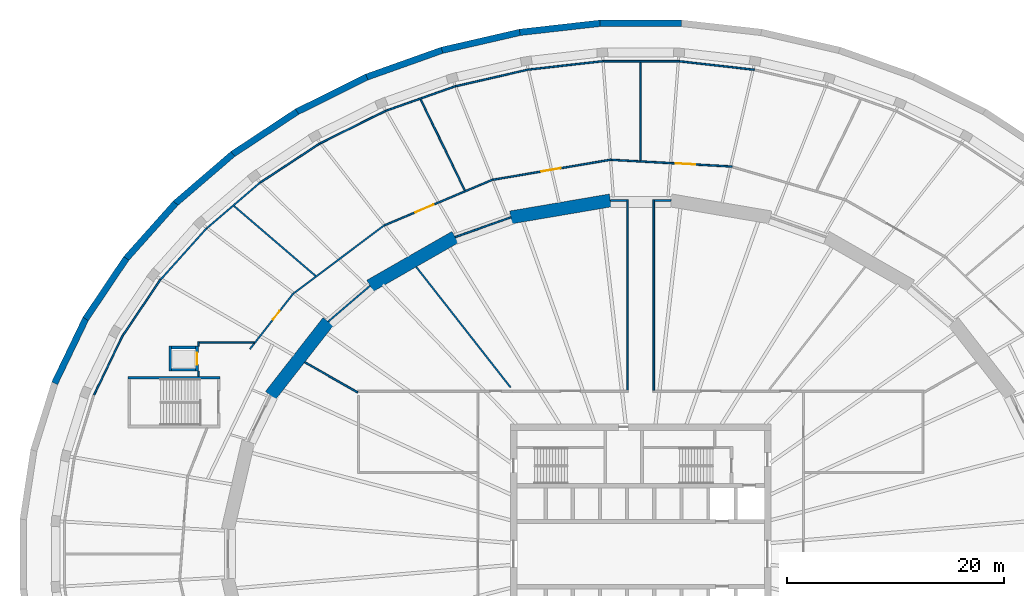
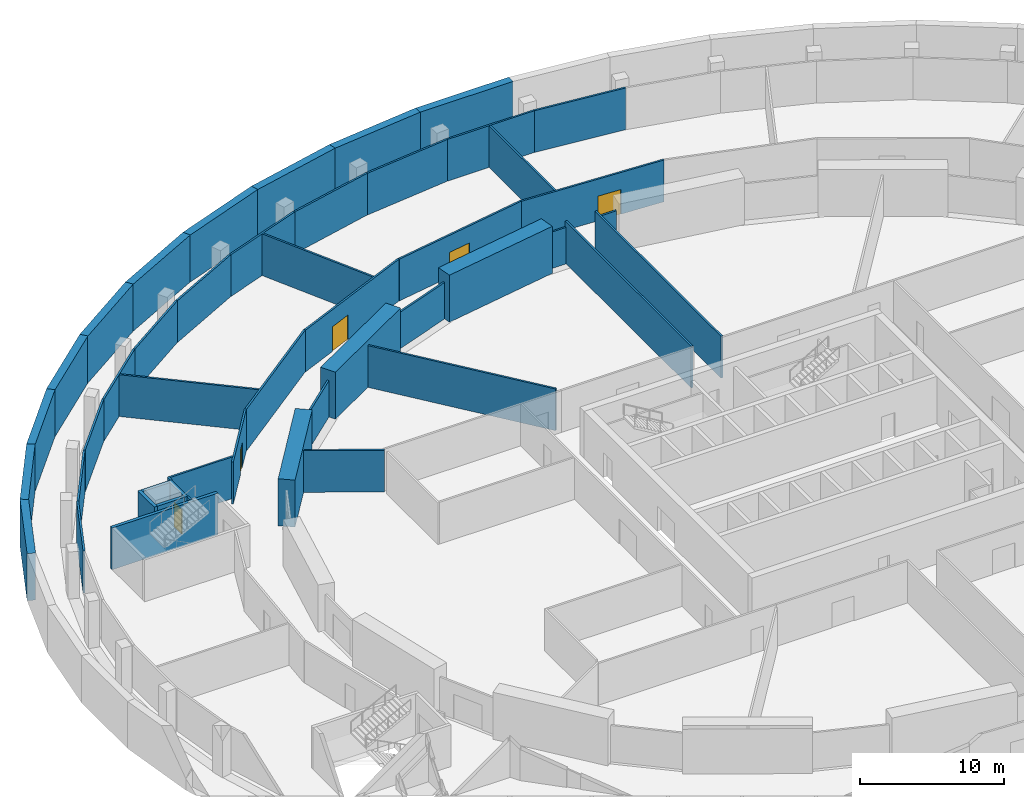
# One storey, part 10 of 14: 48 walls, 5 doors, 5 openings.
"""IFC4 building model written with IfcOpenShell, lengths in metres."""

from ifc_helpers import new_model, si_unit, direction, frame, frame_2d, origin, place, context, subcontext, project, spatial, polyline, rectangle, outline, extrude, material, layer, layer_set, type_object, element, fill, save


model = new_model("IFC4")

# Units and contexts
model_context = context("Model", 3, precision=1e-05, world=origin(), true_north=direction((0.0, 1.0)))
body_context = subcontext(model_context, "Body", "Model", "MODEL_VIEW")
ifc_project = project(units=[si_unit("LENGTHUNIT", "METRE"), si_unit("AREAUNIT", "SQUARE_METRE"), si_unit("VOLUMEUNIT", "CUBIC_METRE"), si_unit("PLANEANGLEUNIT", "RADIAN"), si_unit("MASSUNIT", "GRAM", prefix="KILO")], contexts=[model_context])

# Site, building, storey
site_placement = place(None, origin())
site = spatial("IfcSite", under=ifc_project, at=site_placement, CompositionType="ELEMENT")
building_placement = place(site_placement, origin())
building = spatial("IfcBuilding", under=site, at=building_placement, Name="Halqa Exchange Tower", CompositionType="ELEMENT")
storey_placement = place(building_placement, frame((0.0, 0.0, -4.0)))
storey = spatial("IfcBuildingStorey", under=building, at=storey_placement, Name="B1", CompositionType="ELEMENT", Elevation=-4.0)

# Walls
ifc_material_1 = material(Name="Fire-rated gypsum board")
ifc_layer_1 = layer(ifc_material_1, 0.14990234375)
ifc_layer_set_1 = layer_set([ifc_layer_1], Name="Fire-rated gypsum board")
wall_type_1 = type_object("IfcWallType", Name="Fire partition EI 60 150", PredefinedType="PARTITIONING", material=ifc_layer_set_1)
wall_1_placement = place(storey_placement, frame((-50.351806640625, 14.669189453125, 0.0), z_axis=(0.0, 0.0, 1.0), x_axis=(0.434723306584, 0.900564071409, 0.0)))
element("IfcWall", 1, at=wall_1_placement, inside=storey, type_object=wall_type_1, Name="B1-PWL-006", PredefinedType="PARTITIONING", context=body_context, shape_type="SweptSolid", body=[
    extrude(rectangle(XDim=6.09619140625, YDim=0.14990234375, at=frame_2d((3.048095703125, 0.0))), origin(), (0.0, 0.0, 1.0), 3.550048828125),
])
wall_2_placement = place(storey_placement, frame((-47.69091796875, 20.153076171875, 0.0), z_axis=(0.0, 0.0, 1.0), x_axis=(0.558812320082, 0.829294152231, 0.0)))
element("IfcWall", 2, at=wall_2_placement, inside=storey, type_object=wall_type_1, Name="B1-PWL-007", PredefinedType="PARTITIONING", context=body_context, shape_type="SweptSolid", body=[
    extrude(rectangle(XDim=6.2099609375, YDim=0.14990234375, at=frame_2d((3.10498046875, 0.0))), origin(), (0.0, 0.0, 1.0), 3.550048828125),
])
wall_3_placement = place(storey_placement, frame((-44.211181640625, 25.29541015625, 0.0), z_axis=(0.0, 0.0, 1.0), x_axis=(0.6673947824, 0.744704105283, 0.0)))
element("IfcWall", 3, at=wall_3_placement, inside=storey, type_object=wall_type_1, Name="B1-PWL-010", PredefinedType="PARTITIONING", context=body_context, shape_type="SweptSolid", body=[
    extrude(rectangle(XDim=6.338134765625, YDim=0.14990234375, at=frame_2d((3.1689453125, 0.0))), origin(), (0.0, 0.0, 1.0), 3.550048828125),
])
wall_4_placement = place(storey_placement, frame((-40.75, 16.3740234375, 0.0), z_axis=(0.0, 0.0, 1.0), x_axis=(0.0, 1.0, 0.0)))
element("IfcWall", 4, at=wall_4_placement, inside=storey, type_object=wall_type_1, Name="B1-PWL-017", PredefinedType="PARTITIONING", context=body_context, shape_type="SweptSolid", body=[
    extrude(rectangle(XDim=0.47607421875, YDim=0.14990234375, at=frame_2d((0.238037109375, 0.0))), origin(), (0.0, 0.0, 1.0), 3.550048828125),
])
wall_5_placement = place(storey_placement, frame((-40.75, 19.14990234375, 0.0), z_axis=(0.0, 0.0, 1.0), x_axis=(0.0, 1.0, 0.0)))
element("IfcWall", 5, at=wall_5_placement, inside=storey, type_object=wall_type_1, Name="B1-PWL-018", PredefinedType="PARTITIONING", context=body_context, shape_type="SweptSolid", body=[
    extrude(rectangle(XDim=0.425048828125, YDim=0.14990234375, at=frame_2d((0.21240234375, 0.0))), origin(), (0.0, 0.0, 1.0), 3.550048828125),
])
wall_6_placement = place(storey_placement, frame((-40.675048828125, 19.5, 0.0), z_axis=(0.0, 0.0, 1.0), x_axis=(1.0, 0.0, 0.0)))
element("IfcWall", 6, at=wall_6_placement, inside=storey, type_object=wall_type_1, Name="B1-PWL-019", PredefinedType="PARTITIONING", context=body_context, shape_type="SweptSolid", body=[
    extrude(rectangle(XDim=5.068115234375, YDim=0.14990234375, at=frame_2d((2.5341796875, 0.0))), origin(), (0.0, 0.0, 1.0), 3.550048828125),
])
wall_7_placement = place(storey_placement, frame((-39.97314453125, 30.00732421875, 0.0), z_axis=(0.0, 0.0, 1.0), x_axis=(0.759038455419, 0.651045791934, 0.0)))
element("IfcWall", 7, at=wall_7_placement, inside=storey, type_object=wall_type_1, Name="B1-PWL-022", PredefinedType="PARTITIONING", context=body_context, shape_type="SweptSolid", body=[
    extrude(rectangle(XDim=6.479248046875, YDim=0.14990234375, at=frame_2d((3.23974609375, 0.0))), origin(), (0.0, 0.0, 1.0), 3.550048828125),
])

# Wall, opening, door
wall_8_placement = place(storey_placement, frame((-35.99609375, 18.880859375, 0.0), z_axis=(0.0, 0.0, 1.0), x_axis=(0.615457986142, 0.788169694478, 0.0)))
wall_8 = element("IfcWall", 8, at=wall_8_placement, inside=storey, type_object=wall_type_1, Name="B1-PWL-028", PredefinedType="PARTITIONING", context=body_context, shape_type="SweptSolid", body=[
    extrude(rectangle(XDim=6.544921875, YDim=0.14990234375, at=frame_2d((3.2724609375, 0.0))), origin(), (0.0, 0.0, 1.0), 3.550048828125),
])
opening_1_placement = place(wall_8_placement, frame((3.453857421875, 0.0, 0.0)))
opening_1 = element("IfcOpeningElement", 9, at=opening_1_placement, cuts=wall_8, Name="Opening B1-27", PredefinedType="OPENING", context=body_context, shape_type="SweptSolid", body=[
    extrude(rectangle(XDim=1.0, YDim=2.10009765625, at=frame_2d((0.5, 1.050048828125))), frame((0.0, 0.0869140625, 0.0), z_axis=(0.0, -1.0, 0.0), x_axis=(1.0, 0.0, 0.0)), (0.0, 0.0, 1.0), 0.173828125),
])
ifc_material_2 = material(Name="Steel fire door leaf", Category="steel")
door_type_1 = type_object("IfcDoorType", Name="Fire door FD30S 1000 x 2100", OperationType="SINGLE_SWING_LEFT", PredefinedType="DOOR", material=ifc_material_2)
door_1_placement = place(opening_1_placement, origin())
door_1 = element("IfcDoor", 10, at=door_1_placement, inside=storey, type_object=door_type_1, Name="B1-IDR-027", OperationType="SINGLE_SWING_RIGHT", OverallHeight=2.10009765625, OverallWidth=1.0, PredefinedType="DOOR", context=body_context, shape_type="SweptSolid", body=[
    extrude(rectangle(XDim=1.0, YDim=2.10009765625, at=frame_2d((0.5, 1.050048828125))), frame((0.0, 0.02490234375, 0.0), z_axis=(0.0, -1.0, 0.0), x_axis=(1.0, 0.0, 0.0)), (0.0, 0.0, 1.0), 0.050048828125),
])
fill(opening_1, door_1)

# Walls
wall_9_placement = place(storey_placement, frame((-35.048583984375, 34.217041015625, 0.0), z_axis=(0.0, 0.0, 1.0), x_axis=(0.83553583791, 0.549435950378, 0.0)))
element("IfcWall", 11, at=wall_9_placement, inside=storey, type_object=wall_type_1, Name="B1-PWL-030", PredefinedType="PARTITIONING", context=body_context, shape_type="SweptSolid", body=[
    extrude(rectangle(XDim=6.6064453125, YDim=0.14990234375, at=frame_2d((3.30322265625, 0.0))), origin(), (0.0, 0.0, 1.0), 3.550048828125),
])
wall_10_placement = place(storey_placement, frame((-31.947265625, 24.022216796875, 0.0), z_axis=(0.0, 0.0, 1.0), x_axis=(0.799194171191, 0.601072937949, 0.0)))
element("IfcWall", 12, at=wall_10_placement, inside=storey, type_object=wall_type_1, Name="B1-PWL-032", PredefinedType="PARTITIONING", context=body_context, shape_type="SweptSolid", body=[
    extrude(rectangle(XDim=10.443603515625, YDim=0.14990234375, at=frame_2d((5.2216796875, 0.0))), origin(), (0.0, 0.0, 1.0), 3.550048828125),
])
wall_11_placement = place(storey_placement, frame((-29.947265625, 25.619140625, 0.0), z_axis=(0.0, 0.0, 1.0), x_axis=(-0.759265306208, 0.650781218836, 0.0)))
element("IfcWall", 13, at=wall_11_placement, inside=storey, type_object=wall_type_1, Name="B1-PWL-034", PredefinedType="PARTITIONING", context=body_context, shape_type="SweptSolid", body=[
    extrude(outline(polyline([(-0.0166015625, -0.074951171875), (9.888427734375, -0.074951171875), (9.911376953125, 0.074951171875), (0.0166015625, 0.074951171875), (-0.0166015625, -0.074951171875)])), origin(), (0.0, 0.0, 1.0), 3.550048828125),
])
wall_12_placement = place(storey_placement, frame((-29.5234375, 37.837890625, 0.0), z_axis=(0.0, 0.0, 1.0), x_axis=(0.895909442692, 0.444236727991, 0.0)))
element("IfcWall", 14, at=wall_12_placement, inside=storey, type_object=wall_type_1, Name="B1-PWL-036", PredefinedType="PARTITIONING", context=body_context, shape_type="SweptSolid", body=[
    extrude(rectangle(XDim=6.730712890625, YDim=0.14990234375, at=frame_2d((3.365234375, 0.0))), origin(), (0.0, 0.0, 1.0), 3.550048828125),
])
wall_13_placement = place(storey_placement, frame((-26.07421875, 14.88232421875, 0.0), z_axis=(0.0, 0.0, 1.0), x_axis=(-0.868133416031, 0.496330909746, 0.0)))
element("IfcWall", 15, at=wall_13_placement, inside=storey, type_object=wall_type_1, Name="B1-PWL-043", PredefinedType="PARTITIONING", context=body_context, shape_type="SweptSolid", body=[
    extrude(outline(polyline([(0.0, -0.074951171875), (5.604248046875, -0.074951171875), (5.625732421875, 0.074951171875), (0.0, 0.074951171875), (0.0, -0.074951171875)])), origin(), (0.0, 0.0, 1.0), 3.550048828125),
])
wall_14_placement = place(storey_placement, frame((-24.931884765625, 24.70849609375, 0.0), z_axis=(0.0, 0.0, 1.0), x_axis=(-0.760084552743, -0.649824185978, 0.0)))
element("IfcWall", 16, at=wall_14_placement, inside=storey, type_object=wall_type_1, Name="B1-PWL-045", PredefinedType="PARTITIONING", context=body_context, shape_type="SweptSolid", body=[
    extrude(outline(polyline([(-0.01416015625, -0.074951171875), (5.09033203125, -0.074951171875), (5.0595703125, 0.074951171875), (0.01416015625, 0.074951171875), (-0.01416015625, -0.074951171875)])), origin(), (0.0, 0.0, 1.0), 3.10009765625),
])

# Wall, opening, door
wall_15_placement = place(storey_placement, frame((-23.58642578125, 30.279541015625, 0.0), z_axis=(0.0, 0.0, 1.0), x_axis=(0.920903415875, 0.389790839591, 0.0)))
wall_15 = element("IfcWall", 17, at=wall_15_placement, inside=storey, type_object=wall_type_1, Name="B1-PWL-046", PredefinedType="PARTITIONING", context=body_context, shape_type="SweptSolid", body=[
    extrude(rectangle(XDim=10.822998046875, YDim=0.14990234375, at=frame_2d((5.41162109375, 0.0))), origin(), (0.0, 0.0, 1.0), 3.550048828125),
])
opening_2_placement = place(wall_15_placement, frame((3.09130859375, 0.0, 0.0)))
opening_2 = element("IfcOpeningElement", 18, at=opening_2_placement, cuts=wall_15, Name="Opening B1-26", PredefinedType="OPENING", context=body_context, shape_type="SweptSolid", body=[
    extrude(rectangle(XDim=1.800048828125, YDim=2.10009765625, at=frame_2d((0.89990234375, 1.050048828125))), frame((0.0, 0.0869140625, 0.0), z_axis=(0.0, -1.0, 0.0), x_axis=(1.0, 0.0, 0.0)), (0.0, 0.0, 1.0), 0.173828125),
])
door_type_2 = type_object("IfcDoorType", Name="Fire door FD30S double 1800 x 2100", OperationType="DOUBLE_DOOR_SINGLE_SWING", PredefinedType="DOOR", material=ifc_material_2)
door_2_placement = place(opening_2_placement, origin())
door_2 = element("IfcDoor", 19, at=door_2_placement, inside=storey, type_object=door_type_2, Name="B1-IDR-026", OperationType="DOUBLE_DOOR_SINGLE_SWING", OverallHeight=2.10009765625, OverallWidth=1.800048828125, PredefinedType="DOOR", context=body_context, shape_type="SweptSolid", body=[
    extrude(rectangle(XDim=1.800048828125, YDim=2.10009765625, at=frame_2d((0.89990234375, 1.050048828125))), frame((0.0, 0.02490234375, 0.0), z_axis=(0.0, -1.0, 0.0), x_axis=(1.0, 0.0, 0.0)), (0.0, 0.0, 1.0), 0.050048828125),
])
fill(opening_2, door_2)

# Walls
wall_16_placement = place(storey_placement, frame((-23.489501953125, 40.818603515625, 0.0), z_axis=(0.0, 0.0, 1.0), x_axis=(0.942678523295, 0.333702265079, 0.0)))
element("IfcWall", 20, at=wall_16_placement, inside=storey, type_object=wall_type_1, Name="B1-PWL-049", PredefinedType="PARTITIONING", context=body_context, shape_type="SweptSolid", body=[
    extrude(rectangle(XDim=6.831787109375, YDim=0.14990234375, at=frame_2d((3.416015625, 0.0))), origin(), (0.0, 0.0, 1.0), 3.550048828125),
])
wall_17_placement = place(storey_placement, frame((-20.679931640625, 26.449951171875, 0.0), z_axis=(0.0, 0.0, 1.0), x_axis=(0.616465586388, -0.787381851962, 0.0)))
element("IfcWall", 21, at=wall_17_placement, inside=storey, type_object=wall_type_1, Name="B1-PWL-051", PredefinedType="PARTITIONING", context=body_context, shape_type="SweptSolid", body=[
    extrude(outline(polyline([(-0.010986328125, -0.074951171875), (14.099853515625, -0.074951171875), (14.099853515625, 0.074951171875), (0.010986328125, 0.074951171875), (-0.010986328125, -0.074951171875)])), origin(), (0.0, 0.0, 1.0), 3.550048828125),
])
wall_18_placement = place(storey_placement, frame((-17.046630859375, 43.089111328125, 0.0), z_axis=(0.0, 0.0, 1.0), x_axis=(0.974487031509, 0.224443813504, 0.0)))
element("IfcWall", 22, at=wall_18_placement, inside=storey, type_object=wall_type_1, Name="B1-PWL-054", PredefinedType="PARTITIONING", context=body_context, shape_type="SweptSolid", body=[
    extrude(rectangle(XDim=6.90625, YDim=0.14990234375, at=frame_2d((3.453125, 0.0))), origin(), (0.0, 0.0, 1.0), 3.550048828125),
])
wall_19_placement = place(storey_placement, frame((-16.201904296875, 33.485595703125, 0.0), z_axis=(0.0, 0.0, 1.0), x_axis=(-0.435764801027, 0.900060574731, 0.0)))
element("IfcWall", 23, at=wall_19_placement, inside=storey, type_object=wall_type_1, Name="B1-PWL-057", PredefinedType="PARTITIONING", context=body_context, shape_type="SweptSolid", body=[
    extrude(outline(polyline([(-0.00390625, -0.074951171875), (9.31884765625, -0.074951171875), (9.33544921875, 0.074951171875), (0.00390625, 0.074951171875), (-0.00390625, -0.074951171875)])), origin(), (0.0, 0.0, 1.0), 3.550048828125),
])

# Wall, opening, door
wall_20_placement = place(storey_placement, frame((-13.61083984375, 34.476806640625, 0.0), z_axis=(0.0, 0.0, 1.0), x_axis=(0.985800134635, 0.16792288276, 0.0)))
wall_20 = element("IfcWall", 24, at=wall_20_placement, inside=storey, type_object=wall_type_1, Name="B1-PWL-060", PredefinedType="PARTITIONING", context=body_context, shape_type="SweptSolid", body=[
    extrude(rectangle(XDim=11.07421875, YDim=0.14990234375, at=frame_2d((5.537109375, 0.0))), origin(), (0.0, 0.0, 1.0), 3.550048828125),
])
opening_3_placement = place(wall_20_placement, frame((4.5380859375, 0.0, 0.0)))
opening_3 = element("IfcOpeningElement", 25, at=opening_3_placement, cuts=wall_20, Name="Opening B1-25", PredefinedType="OPENING", context=body_context, shape_type="SweptSolid", body=[
    extrude(rectangle(XDim=1.800048828125, YDim=2.10009765625, at=frame_2d((0.89990234375, 1.050048828125))), frame((0.0, 0.0869140625, 0.0), z_axis=(0.0, -1.0, 0.0), x_axis=(1.0, 0.0, 0.0)), (0.0, 0.0, 1.0), 0.173828125),
])
door_3_placement = place(opening_3_placement, origin())
door_3 = element("IfcDoor", 26, at=door_3_placement, inside=storey, type_object=door_type_2, Name="B1-IDR-025", OperationType="DOUBLE_DOOR_SINGLE_SWING", OverallHeight=2.10009765625, OverallWidth=1.800048828125, PredefinedType="DOOR", context=body_context, shape_type="SweptSolid", body=[
    extrude(rectangle(XDim=1.800048828125, YDim=2.10009765625, at=frame_2d((0.89990234375, 1.050048828125))), frame((0.0, 0.02490234375, 0.0), z_axis=(0.0, -1.0, 0.0), x_axis=(1.0, 0.0, 0.0)), (0.0, 0.0, 1.0), 0.050048828125),
])
fill(opening_3, door_3)

# Walls
wall_21_placement = place(storey_placement, frame((-11.966796875, 31.01123046875, 0.0), z_axis=(0.0, 0.0, 1.0), x_axis=(-0.942814385805, -0.333318217204, 0.0)))
element("IfcWall", 27, at=wall_21_placement, inside=storey, type_object=wall_type_1, Name="B1-PWL-061", PredefinedType="PARTITIONING", context=body_context, shape_type="SweptSolid", body=[
    extrude(outline(polyline([(-0.012939453125, -0.074951171875), (5.448486328125, -0.074951171875), (5.421142578125, 0.074951171875), (0.012939453125, 0.074951171875), (-0.012939453125, -0.074951171875)])), origin(), (0.0, 0.0, 1.0), 3.10009765625),
])
wall_22_placement = place(storey_placement, frame((-10.31494140625, 44.629638671875, 0.0), z_axis=(0.0, 0.0, 1.0), x_axis=(0.993688681101, 0.112173103067, 0.0)))
element("IfcWall", 28, at=wall_22_placement, inside=storey, type_object=wall_type_1, Name="B1-PWL-064", PredefinedType="PARTITIONING", context=body_context, shape_type="SweptSolid", body=[
    extrude(rectangle(XDim=6.953857421875, YDim=0.14990234375, at=frame_2d((3.47705078125, 0.0))), origin(), (0.0, 0.0, 1.0), 3.550048828125),
])
wall_23_placement = place(storey_placement, frame((-3.404541015625, 45.39990234375, 0.0), z_axis=(0.0, 0.0, 1.0), x_axis=(1.0, 0.0, 0.0)))
element("IfcWall", 29, at=wall_23_placement, inside=storey, type_object=wall_type_1, Name="B1-PWL-068", PredefinedType="PARTITIONING", context=body_context, shape_type="SweptSolid", body=[
    extrude(rectangle(XDim=6.97998046875, YDim=0.14990234375, at=frame_2d((3.489990234375, 0.0))), origin(), (0.0, 0.0, 1.0), 3.550048828125),
])

# Wall, opening, door
wall_24_placement = place(storey_placement, frame((-2.691162109375, 36.314453125, 0.0), z_axis=(0.0, 0.0, 1.0), x_axis=(0.998446820284, -0.055713078034, 0.0)))
wall_24 = element("IfcWall", 30, at=wall_24_placement, inside=storey, type_object=wall_type_1, Name="B1-PWL-070", PredefinedType="PARTITIONING", context=body_context, shape_type="SweptSolid", body=[
    extrude(rectangle(XDim=11.126220703125, YDim=0.14990234375, at=frame_2d((5.56298828125, 0.0))), origin(), (0.0, 0.0, 1.0), 3.550048828125),
])
opening_4_placement = place(wall_24_placement, frame((5.94677734375, 0.0, 0.0)))
opening_4 = element("IfcOpeningElement", 31, at=opening_4_placement, cuts=wall_24, Name="Opening B1-24", PredefinedType="OPENING", context=body_context, shape_type="SweptSolid", body=[
    extrude(rectangle(XDim=1.800048828125, YDim=2.10009765625, at=frame_2d((0.89990234375, 1.050048828125))), frame((0.0, 0.0869140625, 0.0), z_axis=(0.0, -1.0, 0.0), x_axis=(1.0, 0.0, 0.0)), (0.0, 0.0, 1.0), 0.173828125),
])
door_4_placement = place(opening_4_placement, origin())
door_4 = element("IfcDoor", 32, at=door_4_placement, inside=storey, type_object=door_type_2, Name="B1-IDR-024", OperationType="DOUBLE_DOOR_SINGLE_SWING", OverallHeight=2.10009765625, OverallWidth=1.800048828125, PredefinedType="DOOR", context=body_context, shape_type="SweptSolid", body=[
    extrude(rectangle(XDim=1.800048828125, YDim=2.10009765625, at=frame_2d((0.89990234375, 1.050048828125))), frame((0.0, 0.02490234375, 0.0), z_axis=(0.0, -1.0, 0.0), x_axis=(1.0, 0.0, 0.0)), (0.0, 0.0, 1.0), 0.050048828125),
])
fill(opening_4, door_4)

# Walls
wall_25_placement = place(storey_placement, frame((-1.199951171875, 15.074951171875, 0.0), z_axis=(0.0, 0.0, 1.0), x_axis=(0.0, 1.0, 0.0)))
element("IfcWall", 33, at=wall_25_placement, inside=storey, type_object=wall_type_1, Name="B1-PWL-073", PredefinedType="PARTITIONING", context=body_context, shape_type="SweptSolid", body=[
    extrude(rectangle(XDim=17.570068359375, YDim=0.14990234375, at=frame_2d((8.78515625, 0.0))), origin(), (0.0, 0.0, 1.0), 3.550048828125),
])
wall_26_placement = place(storey_placement, frame((-1.27490234375, 32.570068359375, 0.0), z_axis=(0.0, 0.0, 1.0), x_axis=(-1.0, 0.0, 0.0)))
element("IfcWall", 34, at=wall_26_placement, inside=storey, type_object=wall_type_1, Name="B1-PWL-074", PredefinedType="PARTITIONING", context=body_context, shape_type="SweptSolid", body=[
    extrude(outline(polyline([(0.0, -0.074951171875), (1.52587890625, -0.074951171875), (1.50048828125, 0.074951171875), (0.0, 0.074951171875), (0.0, -0.074951171875)])), origin(), (0.0, 0.0, 1.0), 3.10009765625),
])
wall_27_placement = place(storey_placement, frame((0.0, 36.238525390625, 0.0), z_axis=(0.0, 0.0, 1.0), x_axis=(0.0, 1.0, 0.0)))
element("IfcWall", 35, at=wall_27_placement, inside=storey, type_object=wall_type_1, Name="B1-PWL-076", PredefinedType="PARTITIONING", context=body_context, shape_type="SweptSolid", body=[
    extrude(outline(polyline([(-0.004150390625, -0.074951171875), (9.08642578125, -0.074951171875), (9.08642578125, 0.074951171875), (0.004150390625, 0.074951171875), (-0.004150390625, -0.074951171875)])), origin(), (0.0, 0.0, 1.0), 3.550048828125),
])
wall_28_placement = place(storey_placement, frame((1.199951171875, 32.64501953125, 0.0), z_axis=(0.0, 0.0, 1.0), x_axis=(0.0, -1.0, 0.0)))
element("IfcWall", 36, at=wall_28_placement, inside=storey, type_object=wall_type_1, Name="B1-PWL-081", PredefinedType="PARTITIONING", context=body_context, shape_type="SweptSolid", body=[
    extrude(rectangle(XDim=17.570068359375, YDim=0.14990234375, at=frame_2d((8.78515625, 0.0))), origin(), (0.0, 0.0, 1.0), 3.550048828125),
])
wall_29_placement = place(storey_placement, frame((2.7880859375, 32.570068359375, 0.0), z_axis=(0.0, 0.0, 1.0), x_axis=(-1.0, 0.0, 0.0)))
element("IfcWall", 37, at=wall_29_placement, inside=storey, type_object=wall_type_1, Name="B1-PWL-082", PredefinedType="PARTITIONING", context=body_context, shape_type="SweptSolid", body=[
    extrude(outline(polyline([(-0.0126953125, -0.074951171875), (1.51318359375, -0.074951171875), (1.51318359375, 0.074951171875), (0.0126953125, 0.074951171875), (-0.0126953125, -0.074951171875)])), origin(), (0.0, 0.0, 1.0), 3.10009765625),
])
wall_30_placement = place(storey_placement, frame((3.574951171875, 45.390380859375, 0.0), z_axis=(0.0, 0.0, 1.0), x_axis=(0.993689122847, -0.112169189779, 0.0)))
element("IfcWall", 38, at=wall_30_placement, inside=storey, type_object=wall_type_1, Name="B1-PWL-083", PredefinedType="PARTITIONING", context=body_context, shape_type="SweptSolid", body=[
    extrude(rectangle(XDim=6.9541015625, YDim=0.14990234375, at=frame_2d((3.47705078125, 0.0))), origin(), (0.0, 0.0, 1.0), 3.550048828125),
])
ifc_material_3 = material(Name="Gypsum board")
ifc_layer_2 = layer(ifc_material_3, 0.25)
ifc_layer_set_2 = layer_set([ifc_layer_2], Name="Gypsum board")
wall_type_2 = type_object("IfcWallType", Name="Penthouse riser wall 250 gypsum", PredefinedType="PARTITIONING", material=ifc_layer_set_2)
wall_31_placement = place(storey_placement, frame((-43.324951171875, 16.85009765625, 0.0), z_axis=(0.0, 0.0, 1.0), x_axis=(0.0, 1.0, 0.0)))
element("IfcWall", 39, at=wall_31_placement, inside=storey, type_object=wall_type_2, Name="Station lift AL3 wall west", PredefinedType="PARTITIONING", context=body_context, shape_type="SweptSolid", body=[
    extrude(rectangle(XDim=2.2998046875, YDim=0.25, at=frame_2d((1.14990234375, 0.0))), origin(), (0.0, 0.0, 1.0), 3.550048828125),
])

# Wall, opening, door
wall_32_placement = place(storey_placement, frame((-40.875, 16.85009765625, 0.0), z_axis=(0.0, 0.0, 1.0), x_axis=(0.0, 1.0, 0.0)))
wall_32 = element("IfcWall", 40, at=wall_32_placement, inside=storey, type_object=wall_type_2, Name="Station lift AL3 wall east", PredefinedType="PARTITIONING", context=body_context, shape_type="SweptSolid", body=[
    extrude(rectangle(XDim=2.2998046875, YDim=0.25, at=frame_2d((1.14990234375, 0.0))), origin(), (0.0, 0.0, 1.0), 3.550048828125),
])
opening_5_placement = place(wall_32_placement, frame((0.60009765625, 0.0, 0.0)))
opening_5 = element("IfcOpeningElement", 41, at=opening_5_placement, cuts=wall_32, Name="Opening LD-AL3-B1", PredefinedType="OPENING", context=body_context, shape_type="SweptSolid", body=[
    extrude(rectangle(XDim=1.10009765625, YDim=2.10009765625, at=frame_2d((0.550048828125, 1.050048828125))), frame((0.0, 0.136962890625, 0.0), z_axis=(0.0, -1.0, 0.0), x_axis=(1.0, 0.0, 0.0)), (0.0, 0.0, 1.0), 0.27392578125),
])
ifc_material_4 = material(Name="Stainless steel", Category="steel")
door_type_3 = type_object("IfcDoorType", Name="Lift landing door 1100 x 2100", OperationType="SLIDING_TO_LEFT", PredefinedType="DOOR", material=ifc_material_4)
door_5_placement = place(opening_5_placement, origin())
door_5 = element("IfcDoor", 42, at=door_5_placement, inside=storey, type_object=door_type_3, Name="Lift landing door AL3", OperationType="SLIDING_TO_LEFT", OverallHeight=2.10009765625, OverallWidth=1.10009765625, PredefinedType="DOOR", context=body_context, shape_type="SweptSolid", body=[
    extrude(rectangle(XDim=1.10009765625, YDim=2.10009765625, at=frame_2d((0.550048828125, 1.050048828125))), frame((0.0, 0.02490234375, 0.0), z_axis=(0.0, -1.0, 0.0), x_axis=(1.0, 0.0, 0.0)), (0.0, 0.0, 1.0), 0.050048828125),
])
fill(opening_5, door_5)

# Walls
for number, where, z_axis, x_axis, name in (
    (43, (-43.199951171875, 19.02490234375, 0.0), (0.0, 0.0, 1.0), (1.0, 0.0, 0.0), "Station lift AL3 wall north"),
    (44, (-43.199951171875, 16.97509765625, 0.0), (0.0, 0.0, 1.0), (1.0, 0.0, 0.0), "Station lift AL3 wall south"),
):
    element("IfcWall", number, at=place(storey_placement, frame(where, z_axis=z_axis, x_axis=x_axis)), inside=storey, type_object=wall_type_2, Name=name, PredefinedType="PARTITIONING", context=body_context, shape_type="SweptSolid", body=[
        extrude(rectangle(XDim=2.199951171875, YDim=0.25, at=frame_2d((1.10009765625, 0.0))), origin(), (0.0, 0.0, 1.0), 3.550048828125),
    ])
ifc_material_5 = material(Name="Concrete C40/50", Category="concrete")
ifc_layer_3 = layer(ifc_material_5, 0.60009765625)
ifc_layer_set_3 = layer_set([ifc_layer_3], Name="Concrete C40/50")
wall_type_3 = type_object("IfcWallType", Name="RC basement wall 600", PredefinedType="SOLIDWALL", material=ifc_layer_set_3)
wall_33_placement = place(storey_placement, frame((3.744873046875, 48.89501953125, 0.0), z_axis=(0.0, 0.0, 1.0), x_axis=(-1.0, 0.0, 0.0)))
element("IfcWall", 45, at=wall_33_placement, inside=storey, type_object=wall_type_3, Name="Basement retaining wall", PredefinedType="SOLIDWALL", context=body_context, shape_type="SweptSolid", body=[
    extrude(rectangle(XDim=7.48974609375, YDim=0.60009765625, at=frame_2d((3.744873046875, 0.0))), origin(), (0.0, 0.0, 1.0), 4.0),
])
wall_34_placement = place(storey_placement, frame((-3.711181640625, 48.89697265625, 0.0), z_axis=(0.0, 0.0, 1.0), x_axis=(-0.993658203282, -0.112442763445, 0.0)))
element("IfcWall", 46, at=wall_34_placement, inside=storey, type_object=wall_type_3, Name="Basement retaining wall", PredefinedType="SOLIDWALL", context=body_context, shape_type="SweptSolid", body=[
    extrude(rectangle(XDim=7.473388671875, YDim=0.60009765625, at=frame_2d((3.73681640625, 0.0))), origin(), (0.0, 0.0, 1.0), 4.0),
])
wall_35_placement = place(storey_placement, frame((-11.103515625, 48.062255859375, 0.0), z_axis=(0.0, 0.0, 1.0), x_axis=(-0.974485322097, -0.224451235276, 0.0)))
element("IfcWall", 47, at=wall_35_placement, inside=storey, type_object=wall_type_3, Name="Basement retaining wall", PredefinedType="SOLIDWALL", context=body_context, shape_type="SweptSolid", body=[
    extrude(rectangle(XDim=7.4248046875, YDim=0.60009765625, at=frame_2d((3.71240234375, 0.0))), origin(), (0.0, 0.0, 1.0), 4.0),
])
wall_36_placement = place(storey_placement, frame((-18.3056640625, 46.405517578125, 0.0), z_axis=(0.0, 0.0, 1.0), x_axis=(-0.942060991409, -0.33544163198, 0.0)))
element("IfcWall", 48, at=wall_36_placement, inside=storey, type_object=wall_type_3, Name="Basement retaining wall", PredefinedType="SOLIDWALL", context=body_context, shape_type="SweptSolid", body=[
    extrude(rectangle(XDim=7.347412109375, YDim=0.60009765625, at=frame_2d((3.673828125, 0.0))), origin(), (0.0, 0.0, 1.0), 4.0),
])
wall_37_placement = place(storey_placement, frame((-25.194580078125, 43.95458984375, 0.0), z_axis=(0.0, 0.0, 1.0), x_axis=(-0.895750986496, -0.44455614965, 0.0)))
element("IfcWall", 49, at=wall_37_placement, inside=storey, type_object=wall_type_3, Name="Basement retaining wall", PredefinedType="SOLIDWALL", context=body_context, shape_type="SweptSolid", body=[
    extrude(rectangle(XDim=7.244873046875, YDim=0.60009765625, at=frame_2d((3.62255859375, 0.0))), origin(), (0.0, 0.0, 1.0), 4.0),
])
wall_38_placement = place(storey_placement, frame((-31.652099609375, 40.752197265625, 0.0), z_axis=(0.0, 0.0, 1.0), x_axis=(-0.834745196239, -0.550636411215, 0.0)))
element("IfcWall", 50, at=wall_38_placement, inside=storey, type_object=wall_type_3, Name="Basement retaining wall", PredefinedType="SOLIDWALL", context=body_context, shape_type="SweptSolid", body=[
    extrude(rectangle(XDim=7.123779296875, YDim=0.60009765625, at=frame_2d((3.56201171875, 0.0))), origin(), (0.0, 0.0, 1.0), 4.0),
])
wall_39_placement = place(storey_placement, frame((-37.568115234375, 36.8525390625, 0.0), z_axis=(0.0, 0.0, 1.0), x_axis=(-0.758319142722, -0.65188348482, 0.0)))
element("IfcWall", 51, at=wall_39_placement, inside=storey, type_object=wall_type_3, Name="Basement retaining wall", PredefinedType="SOLIDWALL", context=body_context, shape_type="SweptSolid", body=[
    extrude(rectangle(XDim=6.991455078125, YDim=0.60009765625, at=frame_2d((3.49560546875, 0.0))), origin(), (0.0, 0.0, 1.0), 4.0),
])
wall_40_placement = place(storey_placement, frame((-42.841796875, 32.32275390625, 0.0), z_axis=(0.0, 0.0, 1.0), x_axis=(-0.665894053378, -0.74604631872, 0.0)))
element("IfcWall", 52, at=wall_40_placement, inside=storey, type_object=wall_type_3, Name="Basement retaining wall", PredefinedType="SOLIDWALL", context=body_context, shape_type="SweptSolid", body=[
    extrude(rectangle(XDim=6.8564453125, YDim=0.60009765625, at=frame_2d((3.42822265625, 0.0))), origin(), (0.0, 0.0, 1.0), 4.0),
])
wall_41_placement = place(storey_placement, frame((-47.38232421875, 27.239990234375, 0.0), z_axis=(0.0, 0.0, 1.0), x_axis=(-0.557518861869, -0.830164272093, 0.0)))
element("IfcWall", 53, at=wall_41_placement, inside=storey, type_object=wall_type_3, Name="Basement retaining wall", PredefinedType="SOLIDWALL", context=body_context, shape_type="SweptSolid", body=[
    extrude(rectangle(XDim=6.728515625, YDim=0.60009765625, at=frame_2d((3.3642578125, 0.0))), origin(), (0.0, 0.0, 1.0), 4.0),
])
wall_42_placement = place(storey_placement, frame((-51.1123046875, 21.69140625, 0.0), z_axis=(0.0, 0.0, 1.0), x_axis=(-0.434104041315, -0.900862742772, 0.0)))
element("IfcWall", 54, at=wall_42_placement, inside=storey, type_object=wall_type_3, Name="Basement retaining wall", PredefinedType="SOLIDWALL", context=body_context, shape_type="SweptSolid", body=[
    extrude(rectangle(XDim=6.61669921875, YDim=0.60009765625, at=frame_2d((3.308349609375, 0.0))), origin(), (0.0, 0.0, 1.0), 4.0),
])
ifc_material_6 = material(Name="Concrete C80/95", Category="concrete")
ifc_layer_4 = layer(ifc_material_6, 1.199951171875)
ifc_layer_set_4 = layer_set([ifc_layer_4], Name="Concrete C80/95")
wall_type_4 = type_object("IfcWallType", Name="RC ring pier 1200 C80/95", PredefinedType="SHEAR", material=ifc_layer_set_4)
wall_43_placement = place(storey_placement, frame((-2.7880859375, 32.57421875, 0.0), z_axis=(0.0, 0.0, 1.0), x_axis=(-0.985776286846, -0.168062822456, 0.0)))
element("IfcWall", 55, at=wall_43_placement, inside=storey, type_object=wall_type_4, Name="Ring pier 5", PredefinedType="SHEAR", context=body_context, shape_type="SweptSolid", body=[
    extrude(rectangle(XDim=9.3115234375, YDim=1.199951171875, at=frame_2d((4.65576171875, 0.0))), origin(), (0.0, 0.0, 1.0), 4.0),
])
wall_44_placement = place(storey_placement, frame((-17.088623046875, 29.197509765625, 0.0), z_axis=(0.0, 0.0, 1.0), x_axis=(-0.867760656864, -0.496982336103, 0.0)))
element("IfcWall", 56, at=wall_44_placement, inside=storey, type_object=wall_type_4, Name="Ring pier 6", PredefinedType="SHEAR", context=body_context, shape_type="SweptSolid", body=[
    extrude(rectangle(XDim=9.037841796875, YDim=1.199951171875, at=frame_2d((4.51904296875, 0.0))), origin(), (0.0, 0.0, 1.0), 4.0),
])
wall_45_placement = place(storey_placement, frame((-28.790283203125, 21.412353515625, 0.0), z_axis=(0.0, 0.0, 1.0), x_axis=(-0.614825322247, -0.788663314174, 0.0)))
element("IfcWall", 57, at=wall_45_placement, inside=storey, type_object=wall_type_4, Name="Ring pier 7", PredefinedType="SHEAR", context=body_context, shape_type="SweptSolid", body=[
    extrude(rectangle(XDim=8.631591796875, YDim=1.199951171875, at=frame_2d((4.31591796875, 0.0))), origin(), (0.0, 0.0, 1.0), 4.0),
])
ifc_material_7 = material(Name="Concrete C30/37", Category="concrete")
ifc_layer_5 = layer(ifc_material_7, 0.25)
ifc_layer_set_5 = layer_set([ifc_layer_5], Name="Concrete C30/37")
wall_type_5 = type_object("IfcWallType", Name="RC stair wall 250 C30/37", PredefinedType="SHEAR", material=ifc_layer_set_5)
wall_46_placement = place(storey_placement, frame((-47.25, 16.25, 0.0), z_axis=(0.0, 0.0, 1.0), x_axis=(1.0, 0.0, 0.0)))
element("IfcWall", 58, at=wall_46_placement, inside=storey, type_object=wall_type_5, Name="Stair SS3 wall north", PredefinedType="SHEAR", context=body_context, shape_type="SweptSolid", body=[
    extrude(rectangle(XDim=8.5, YDim=0.25, at=frame_2d((4.25, 0.0))), origin(), (0.0, 0.0, 1.0), 3.550048828125),
])

save(model, "model.ifc")
